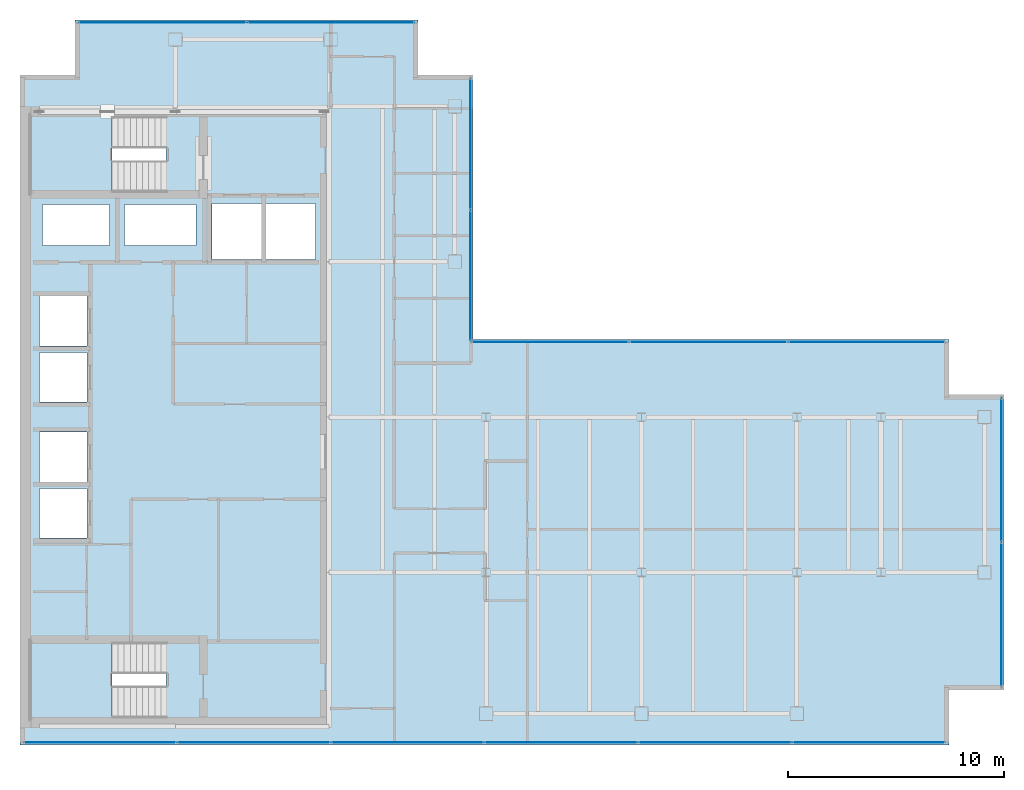
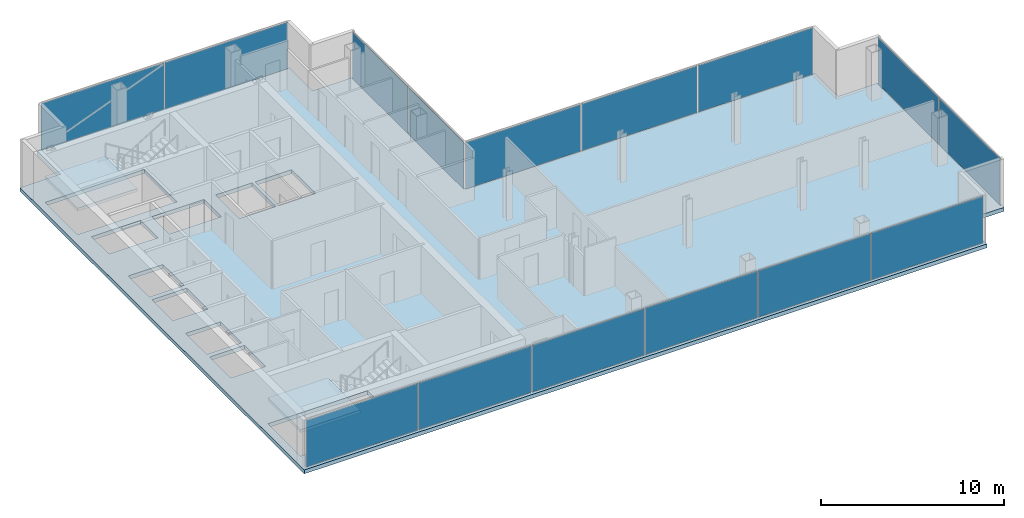
# One storey, part 19 of 23: 15 plates, 3 slabs, 10 openings, 7 elements without a shape of their own.
"""IFC4 building model written with IfcOpenShell, lengths in metres."""

import ifcopenshell
import ifcopenshell.guid

model = None  # the IFC model being written
_history = None  # IfcOwnerHistory: only IFC2X3 demands one
_inside = {}  # id of a spatial element -> (the spatial element, [elements in it])
_under = {}  # id of a project, library or spatial element -> (it, [spatial elements below it])
_declared = {}  # id of a project -> (the project, [libraries it declares])
_typed = {}  # id of a type object -> (the type object, [elements of that type])
_made_of = {}  # id of a material, layer set ... -> (it, [elements and type objects made of it])


def new_model(schema):
    """Start an empty IFC model of exactly this schema.

    Asked for "IFC4X3", IfcOpenShell would pick the latest addendum, in which some entities
    have other attributes; the version numbers below select the first issue.
    IFC2X3 requires an IfcOwnerHistory on every rooted entity: one is made here for all.
    """
    global model, _history
    if schema == "IFC4X3":
        model = ifcopenshell.file(schema_version=(4, 3, 0, 0))
    else:
        model = ifcopenshell.file(schema=schema)
    _inside.clear()
    _under.clear()
    _declared.clear()
    _typed.clear()
    _made_of.clear()
    _history = None
    if model.schema == "IFC2X3":
        org = make("IfcOrganization", Name="unknown")
        user = make(
            "IfcPersonAndOrganization",
            ThePerson=make("IfcPerson", FamilyName="unknown"),
            TheOrganization=org,
        )
        app = make(
            "IfcApplication",
            ApplicationDeveloper=org,
            Version="unknown",
            ApplicationFullName="unknown",
            ApplicationIdentifier="unknown",
        )
        _history = make(
            "IfcOwnerHistory",
            OwningUser=user,
            OwningApplication=app,
            ChangeAction="ADDED",
            CreationDate=0,
        )
    return model


def make(cls, **values):
    """One entity of the class cls with the attributes given. An attribute that is None is left unset."""
    return model.create_entity(
        cls, **{name: value for name, value in values.items() if value is not None}
    )


def rooted(cls, **values):
    """An entity with a GlobalId (a new one), such as an element, a storey or a relation."""
    return make(cls, GlobalId=ifcopenshell.guid.new(), OwnerHistory=_history, **values)


def si_unit(unit_type, name, prefix=None):
    """IfcSIUnit, for example si_unit("LENGTHUNIT", "METRE", prefix="MILLI")."""
    return make("IfcSIUnit", UnitType=unit_type, Prefix=prefix, Name=name)


def assignment(units):
    """IfcUnitAssignment: the units of a project."""
    return None if units is None else make("IfcUnitAssignment", Units=units)


def point(xyz):
    """IfcCartesianPoint."""
    return None if xyz is None else make("IfcCartesianPoint", Coordinates=xyz)


def direction(xyz):
    """IfcDirection."""
    return None if xyz is None else make("IfcDirection", DirectionRatios=xyz)


def frame(location, z_axis=None, x_axis=None):
    """IfcAxis2Placement3D, a coordinate frame: its origin and axes. An axis left out is left unset."""
    return make(
        "IfcAxis2Placement3D",
        Location=point(location),
        Axis=direction(z_axis),
        RefDirection=direction(x_axis),
    )


def frame_2d(location, x_axis=None):
    """IfcAxis2Placement2D, a coordinate frame in the plane: its origin and x axis."""
    return make(
        "IfcAxis2Placement2D", Location=point(location), RefDirection=direction(x_axis)
    )


def origin():
    """The frame at (0, 0, 0) with its axes left unset."""
    return frame((0.0, 0.0, 0.0))


def origin_2d():
    """The frame at (0, 0) in the plane with its x axis left unset."""
    return frame_2d((0.0, 0.0))


def place(relative_to, where):
    """IfcLocalPlacement: puts the frame where relative to a parent placement (None: the world)."""
    return make(
        "IfcLocalPlacement", PlacementRelTo=relative_to, RelativePlacement=where
    )


def context(
    kind, dimensions, precision=None, world=None, true_north=None, identifier=None
):
    """IfcGeometricRepresentationContext, for example the 3D "Model" context."""
    return make(
        "IfcGeometricRepresentationContext",
        ContextIdentifier=identifier,
        ContextType=kind,
        CoordinateSpaceDimension=dimensions,
        Precision=precision,
        WorldCoordinateSystem=world,
        TrueNorth=true_north,
    )


def subcontext(parent, identifier, kind, view, scale=None):
    """IfcGeometricRepresentationSubContext, for example "Body" below "Model"."""
    return make(
        "IfcGeometricRepresentationSubContext",
        ContextIdentifier=identifier,
        ContextType=kind,
        ParentContext=parent,
        TargetScale=scale,
        TargetView=view,
    )


def project(units=None, contexts=None):
    """IfcProject with its units and contexts."""
    return rooted(
        "IfcProject",
        Name="project",
        RepresentationContexts=contexts,
        UnitsInContext=assignment(units),
    )


def spatial(cls, under=None, at=None, **own):
    """A site, building, storey or space (cls), placed at a placement, below another one or the project."""
    s = rooted(cls, ObjectPlacement=at, **own)
    if under is not None:
        _under.setdefault(under.id(), (under, []))[1].append(s)
    return s


def polyline(points):
    """IfcPolyline through the points."""
    return make("IfcPolyline", Points=[point(p) for p in points])


def profile(cls, at=None, kind="AREA", **sizes):
    """A parametric profile (cls). Its sizes go by their IFC names, for example OverallWidth=200.0."""
    return make(cls, ProfileType=kind, Position=at, **sizes)


def rectangle(**sizes):
    """IfcRectangleProfileDef."""
    return profile("IfcRectangleProfileDef", **sizes)


def outline(outer, holes=None, kind="AREA"):
    """IfcArbitraryClosedProfileDef: a profile drawn as a closed curve; with holes, ...WithVoids."""
    if holes is None:
        return make("IfcArbitraryClosedProfileDef", ProfileType=kind, OuterCurve=outer)
    return make(
        "IfcArbitraryProfileDefWithVoids",
        ProfileType=kind,
        OuterCurve=outer,
        InnerCurves=holes,
    )


def extrude(swept, where, along, depth):
    """IfcExtrudedAreaSolid: the profile swept, set in the frame where, extruded along a direction by depth."""
    return make(
        "IfcExtrudedAreaSolid",
        SweptArea=swept,
        Position=where,
        ExtrudedDirection=direction(along),
        Depth=depth,
    )


def shape(context_of_items, identifier, shape_type, items):
    """IfcShapeRepresentation: the items that make up one representation, for example the "Body"."""
    return make(
        "IfcShapeRepresentation",
        ContextOfItems=context_of_items,
        RepresentationIdentifier=identifier,
        RepresentationType=shape_type,
        Items=items,
    )


def material(Name=None, Category=None):
    """IfcMaterial."""
    return make("IfcMaterial", Name=Name, Category=Category)


def layer(
    of_material, thickness, ventilated=None, Name=None, Category=None, Priority=None
):
    """IfcMaterialLayer: one layer of a wall or slab, of a material (None: an air gap)."""
    return make(
        "IfcMaterialLayer",
        Material=of_material,
        LayerThickness=thickness,
        IsVentilated=ventilated,
        Name=Name,
        Category=Category,
        Priority=Priority,
    )


def layer_set(layers, Name=None):
    """IfcMaterialLayerSet."""
    return make("IfcMaterialLayerSet", MaterialLayers=layers, LayerSetName=Name)


def made_of(thing, what):
    """Note that an element or type object is made of a material, layer set ...; save() writes the relation."""
    if what is not None:
        _made_of.setdefault(what.id(), (what, []))[1].append(thing)
    return thing


def type_object(cls, material=None, **own):
    """A type object (cls), such as IfcWallType, which elements share."""
    return made_of(rooted(cls, **own), material)


def element(
    cls,
    number,
    at=None,
    inside=None,
    cuts=None,
    type_object=None,
    material=None,
    context=None,
    identifier="Body",
    shape_type=None,
    held_by="IfcProductDefinitionShape",
    body=None,
    shapes=None,
    **own,
):
    """One element of the class cls, such as IfcWall. Its Tag is "e" and its number.

    at: its placement. inside: the storey or other place that contains it. cuts: it is an
    opening in that element (IfcRelVoidsElement). A single representation is given by context,
    identifier, shape_type and body (its items); several are given by shapes. held_by: the class
    of the entity that holds the representations. save() writes the other relations.
    """
    e = rooted(cls, Tag="e%d" % number, ObjectPlacement=at, **own)
    if body is not None:
        shapes = [shape(context, identifier, shape_type, body)]
    if shapes is not None:
        e.Representation = make(held_by, Representations=shapes)
    if inside is not None:
        _inside.setdefault(inside.id(), (inside, []))[1].append(e)
    if cuts is not None:
        rooted(
            "IfcRelVoidsElement", RelatingBuildingElement=cuts, RelatedOpeningElement=e
        )
    if type_object is not None:
        _typed.setdefault(type_object.id(), (type_object, []))[1].append(e)
    return made_of(e, material)


def aggregate(whole, parts):
    """IfcRelAggregates: a whole, such as a stair, and the parts it consists of."""
    return rooted("IfcRelAggregates", RelatingObject=whole, RelatedObjects=parts)


def save(model, path):
    """Write the relations noted so far, then the file.

    IfcRelAggregates (storeys below a building ...), IfcRelContainedInSpatialStructure (elements
    in a storey), IfcRelDefinesByType, IfcRelAssociatesMaterial and IfcRelDeclares: one each for
    every whole, place, type object, material and project.
    """
    for whole, parts in _under.values():
        aggregate(whole, parts)
    for where, things in _inside.values():
        rooted(
            "IfcRelContainedInSpatialStructure",
            RelatedElements=things,
            RelatingStructure=where,
        )
    for kind, things in _typed.values():
        rooted("IfcRelDefinesByType", RelatedObjects=things, RelatingType=kind)
    for what, things in _made_of.values():
        rooted("IfcRelAssociatesMaterial", RelatedObjects=things, RelatingMaterial=what)
    for by, libraries in _declared.values():
        rooted("IfcRelDeclares", RelatingContext=by, RelatedDefinitions=libraries)
    model.write(path)


model = new_model("IFC4")

# Units and contexts
model_context = context("Model", 3, precision=1e-05, world=origin(), true_north=direction((0.0, 1.0)))
body_context = subcontext(model_context, "Body", "Model", "MODEL_VIEW")
ifc_project = project(units=[si_unit("LENGTHUNIT", "METRE"), si_unit("AREAUNIT", "SQUARE_METRE"), si_unit("VOLUMEUNIT", "CUBIC_METRE"), si_unit("PLANEANGLEUNIT", "RADIAN"), si_unit("MASSUNIT", "GRAM", prefix="KILO")], contexts=[model_context])

# Site, building, storey
site_placement = place(None, origin())
site = spatial("IfcSite", under=ifc_project, at=site_placement, CompositionType="ELEMENT")
building_placement = place(site_placement, origin())
building = spatial("IfcBuilding", under=site, at=building_placement, Name="Cobrela Telecom Tower", CompositionType="ELEMENT")
storey_placement = place(building_placement, frame((0.0, 0.0, 258.64990234375)))
storey = spatial("IfcBuildingStorey", under=building, at=storey_placement, Name="L67", CompositionType="ELEMENT", Elevation=258.64990234375)

# Curtain wall, plates
ifc_material_1 = material(Name="Anodized Bronze Aluminium 6063-T6", Category="aluminium")
curtain_wall_type = type_object("IfcCurtainWallType", Name="CW-SYS-OFF-HI", PredefinedType="USERDEFINED", material=ifc_material_1)
curtain_wall_1_placement = place(storey_placement, origin())
curtain_wall_1 = element("IfcCurtainWall", 1, at=curtain_wall_1_placement, inside=storey, type_object=curtain_wall_type, Name="L67 Unitised Bronze Curtain Wall 05", ObjectType="UNITISED CURTAIN WALL", PredefinedType="USERDEFINED")
ifc_material_2 = material(Name="Solar-Control Bronze Low-E Glass", Category="glass")
ifc_layer_1 = layer(ifc_material_2, 0.030029296875)
ifc_layer_set_1 = layer_set([ifc_layer_1], Name="Solar-Control Bronze Low-E Glass")
plate_type = type_object("IfcPlateType", Name="CW-SYS-OFF-HI-PNL", PredefinedType="CURTAIN_PANEL", material=ifc_layer_set_1)
plate_1_placement = place(storey_placement, frame((6.6025390625, 39.8798828125, 0.06494140625), z_axis=(0.0, 0.0, 1.0), x_axis=(1.0, 0.0, 0.0)))
plate_1 = element("IfcPlate", 2, at=plate_1_placement, type_object=plate_type, Name="CW-OFF-HI panel 1.1", PredefinedType="CURTAIN_PANEL", context=body_context, shape_type="SweptSolid", body=[
    extrude(rectangle(XDim=7.72509765625, YDim=0.030029296875, at=origin_2d()), origin(), (0.0, 0.0, 1.0), 3.110107421875),
])
plate_2_placement = place(storey_placement, frame((14.3974609375, 39.8798828125, 0.06494140625), z_axis=(0.0, 0.0, 1.0), x_axis=(1.0, 0.0, 0.0)))
plate_2 = element("IfcPlate", 3, at=plate_2_placement, type_object=plate_type, Name="CW-OFF-HI panel 2.1", PredefinedType="CURTAIN_PANEL", context=body_context, shape_type="SweptSolid", body=[
    extrude(rectangle(XDim=7.72509765625, YDim=0.030029296875, at=origin_2d()), origin(), (0.0, 0.0, 1.0), 3.110107421875),
])
aggregate(curtain_wall_1, [plate_1, plate_2])

curtain_wall_2_placement = place(storey_placement, origin())
curtain_wall_2 = element("IfcCurtainWall", 4, at=curtain_wall_2_placement, inside=storey, type_object=curtain_wall_type, Name="L67 Unitised Bronze Curtain Wall 08", ObjectType="UNITISED CURTAIN WALL", PredefinedType="USERDEFINED")
plate_3_placement = place(storey_placement, frame((20.8798828125, 34.25, 0.06494140625), z_axis=(0.0, 0.0, 1.0), x_axis=(0.0, -1.0, 0.0)))
plate_3 = element("IfcPlate", 5, at=plate_3_placement, type_object=plate_type, Name="CW-OFF-HI panel 1.1", PredefinedType="CURTAIN_PANEL", context=body_context, shape_type="SweptSolid", body=[
    extrude(rectangle(XDim=6.02001953125, YDim=0.030029296875, at=origin_2d()), origin(), (0.0, 0.0, 1.0), 3.110107421875),
])
plate_4_placement = place(storey_placement, frame((20.8798828125, 28.159912109375, 0.06494140625), z_axis=(0.0, 0.0, 1.0), x_axis=(0.0, -1.0, 0.0)))
plate_4 = element("IfcPlate", 6, at=plate_4_placement, type_object=plate_type, Name="CW-OFF-HI panel 2.1", PredefinedType="CURTAIN_PANEL", context=body_context, shape_type="SweptSolid", body=[
    extrude(rectangle(XDim=6.02001953125, YDim=0.030029296875, at=origin_2d()), origin(), (0.0, 0.0, 1.0), 3.110107421875),
])
aggregate(curtain_wall_2, [plate_3, plate_4])

curtain_wall_3_placement = place(storey_placement, origin())
curtain_wall_3 = element("IfcCurtainWall", 7, at=curtain_wall_3_placement, inside=storey, type_object=curtain_wall_type, Name="L67 Unitised Bronze Curtain Wall 09", ObjectType="UNITISED CURTAIN WALL", PredefinedType="USERDEFINED")
plate_5_placement = place(storey_placement, frame((24.572509765625, 25.080078125, 0.06494140625), z_axis=(0.0, 0.0, 1.0), x_axis=(1.0, 0.0, 0.0)))
plate_5 = element("IfcPlate", 8, at=plate_5_placement, type_object=plate_type, Name="CW-OFF-HI panel 1.1", PredefinedType="CURTAIN_PANEL", context=body_context, shape_type="SweptSolid", body=[
    extrude(rectangle(XDim=7.2451171875, YDim=0.030029296875, at=origin_2d()), origin(), (0.0, 0.0, 1.0), 3.110107421875),
])
plate_6_placement = place(storey_placement, frame((31.905029296875, 25.080078125, 0.06494140625), z_axis=(0.0, 0.0, 1.0), x_axis=(1.0, 0.0, 0.0)))
plate_6 = element("IfcPlate", 9, at=plate_6_placement, type_object=plate_type, Name="CW-OFF-HI panel 2.1", PredefinedType="CURTAIN_PANEL", context=body_context, shape_type="SweptSolid", body=[
    extrude(rectangle(XDim=7.280029296875, YDim=0.030029296875, at=origin_2d()), origin(), (0.0, 0.0, 1.0), 3.110107421875),
])
plate_7_placement = place(storey_placement, frame((39.237548828125, 25.080078125, 0.06494140625), z_axis=(0.0, 0.0, 1.0), x_axis=(1.0, 0.0, 0.0)))
plate_7 = element("IfcPlate", 10, at=plate_7_placement, type_object=plate_type, Name="CW-OFF-HI panel 3.1", PredefinedType="CURTAIN_PANEL", context=body_context, shape_type="SweptSolid", body=[
    extrude(rectangle(XDim=7.2451171875, YDim=0.030029296875, at=origin_2d()), origin(), (0.0, 0.0, 1.0), 3.110107421875),
])
aggregate(curtain_wall_3, [plate_5, plate_6, plate_7])

curtain_wall_4_placement = place(storey_placement, origin())
curtain_wall_4 = element("IfcCurtainWall", 11, at=curtain_wall_4_placement, inside=storey, type_object=curtain_wall_type, Name="L67 Unitised Bronze Curtain Wall 12", ObjectType="UNITISED CURTAIN WALL", PredefinedType="USERDEFINED")
plate_8_placement = place(storey_placement, frame((45.47998046875, 19.1474609375, 0.06494140625), z_axis=(0.0, 0.0, 1.0), x_axis=(0.0, -1.0, 0.0)))
plate_8 = element("IfcPlate", 12, at=plate_8_placement, type_object=plate_type, Name="CW-OFF-HI panel 1.1", PredefinedType="CURTAIN_PANEL", context=body_context, shape_type="SweptSolid", body=[
    extrude(rectangle(XDim=6.625, YDim=0.030029296875, at=origin_2d()), origin(), (0.0, 0.0, 1.0), 3.110107421875),
])
plate_9_placement = place(storey_placement, frame((45.47998046875, 12.452392578125, 0.06494140625), z_axis=(0.0, 0.0, 1.0), x_axis=(0.0, -1.0, 0.0)))
plate_9 = element("IfcPlate", 13, at=plate_9_placement, type_object=plate_type, Name="CW-OFF-HI panel 2.1", PredefinedType="CURTAIN_PANEL", context=body_context, shape_type="SweptSolid", body=[
    extrude(rectangle(XDim=6.625, YDim=0.030029296875, at=origin_2d()), origin(), (0.0, 0.0, 1.0), 3.110107421875),
])
aggregate(curtain_wall_4, [plate_8, plate_9])

curtain_wall_5_placement = place(storey_placement, origin())
curtain_wall_5 = element("IfcCurtainWall", 14, at=curtain_wall_5_placement, inside=storey, type_object=curtain_wall_type, Name="L67 Unitised Bronze Curtain Wall 15", ObjectType="UNITISED CURTAIN WALL", PredefinedType="USERDEFINED")
plate_10_placement = place(storey_placement, frame((39.344970703125, 6.52001953125, 0.06494140625), z_axis=(0.0, 0.0, 1.0), x_axis=(-1.0, 0.0, 0.0)))
plate_10 = element("IfcPlate", 15, at=plate_10_placement, type_object=plate_type, Name="CW-OFF-HI panel 1.1", PredefinedType="CURTAIN_PANEL", context=body_context, shape_type="SweptSolid", body=[
    extrude(rectangle(XDim=7.030029296875, YDim=0.030029296875, at=origin_2d()), origin(), (0.0, 0.0, 1.0), 3.110107421875),
])
plate_11_placement = place(storey_placement, frame((32.2275390625, 6.52001953125, 0.06494140625), z_axis=(0.0, 0.0, 1.0), x_axis=(-1.0, 0.0, 0.0)))
plate_11 = element("IfcPlate", 16, at=plate_11_placement, type_object=plate_type, Name="CW-OFF-HI panel 2.1", PredefinedType="CURTAIN_PANEL", context=body_context, shape_type="SweptSolid", body=[
    extrude(rectangle(XDim=7.06494140625, YDim=0.030029296875, at=origin_2d()), origin(), (0.0, 0.0, 1.0), 3.110107421875),
])
plate_12_placement = place(storey_placement, frame((25.092529296875, 6.52001953125, 0.06494140625), z_axis=(0.0, 0.0, 1.0), x_axis=(-1.0, 0.0, 0.0)))
plate_12 = element("IfcPlate", 17, at=plate_12_placement, type_object=plate_type, Name="CW-OFF-HI panel 3.1", PredefinedType="CURTAIN_PANEL", context=body_context, shape_type="SweptSolid", body=[
    extrude(rectangle(XDim=7.06494140625, YDim=0.030029296875, at=origin_2d()), origin(), (0.0, 0.0, 1.0), 3.110107421875),
])
plate_13_placement = place(storey_placement, frame((17.95751953125, 6.52001953125, 0.06494140625), z_axis=(0.0, 0.0, 1.0), x_axis=(-1.0, 0.0, 0.0)))
plate_13 = element("IfcPlate", 18, at=plate_13_placement, type_object=plate_type, Name="CW-OFF-HI panel 4.1", PredefinedType="CURTAIN_PANEL", context=body_context, shape_type="SweptSolid", body=[
    extrude(rectangle(XDim=7.06494140625, YDim=0.030029296875, at=origin_2d()), origin(), (0.0, 0.0, 1.0), 3.110107421875),
])
plate_14_placement = place(storey_placement, frame((10.822509765625, 6.52001953125, 0.06494140625), z_axis=(0.0, 0.0, 1.0), x_axis=(-1.0, 0.0, 0.0)))
plate_14 = element("IfcPlate", 19, at=plate_14_placement, type_object=plate_type, Name="CW-OFF-HI panel 5.1", PredefinedType="CURTAIN_PANEL", context=body_context, shape_type="SweptSolid", body=[
    extrude(rectangle(XDim=7.06494140625, YDim=0.030029296875, at=origin_2d()), origin(), (0.0, 0.0, 1.0), 3.110107421875),
])
plate_15_placement = place(storey_placement, frame((3.705078125, 6.52001953125, 0.06494140625), z_axis=(0.0, 0.0, 1.0), x_axis=(-1.0, 0.0, 0.0)))
plate_15 = element("IfcPlate", 20, at=plate_15_placement, type_object=plate_type, Name="CW-OFF-HI panel 6.1", PredefinedType="CURTAIN_PANEL", context=body_context, shape_type="SweptSolid", body=[
    extrude(rectangle(XDim=7.030029296875, YDim=0.030029296875, at=origin_2d()), origin(), (0.0, 0.0, 1.0), 3.110107421875),
])
aggregate(curtain_wall_5, [plate_10, plate_11, plate_12, plate_13, plate_14, plate_15])

# Slab, openings
ifc_material_3 = material(Name="Concrete C40/50", Category="concrete")
ifc_layer_2 = layer(ifc_material_3, 0.260009765625)
ifc_layer_set_2 = layer_set([ifc_layer_2], Name="Concrete C40/50")
slab_type_1 = type_object("IfcSlabType", Name="SLAB-FLR-260", PredefinedType="FLOOR", material=ifc_layer_set_2)
slab_1_placement = place(storey_placement, frame((0.0, 0.0, -0.260009765625)))
slab_1 = element("IfcSlab", 21, at=slab_1_placement, inside=storey, type_object=slab_type_1, Name="L67 Structural Floor Slab", PredefinedType="FLOOR", context=body_context, shape_type="SweptSolid", body=[
    extrude(outline(polyline([(0.0, 6.39990234375), (43.050048828125, 6.39990234375), (43.050048828125, 8.949951171875), (45.60009765625, 8.949951171875), (45.60009765625, 22.64990234375), (43.050048828125, 22.64990234375), (43.050048828125, 25.199951171875), (21.0, 25.199951171875), (21.0, 37.449951171875), (18.449951171875, 37.449951171875), (18.449951171875, 40.0), (2.550048828125, 40.0), (2.550048828125, 37.449951171875), (0.0, 37.449951171875), (0.0, 6.39990234375)])), origin(), (0.0, 0.0, 1.0), 0.260009765625),
])
opening_1_placement = place(slab_1_placement, frame((0.0, 0.0, -0.02001953125)))
element("IfcOpeningElement", 22, at=opening_1_placement, cuts=slab_1, Name="Slab Shaft Opening SLAB-L67-MAIN.1", PredefinedType="OPENING", context=body_context, shape_type="SweptSolid", body=[
    extrude(outline(polyline([(8.89990234375, 28.89990234375), (11.199951171875, 28.89990234375), (11.199951171875, 31.5), (8.89990234375, 31.5), (8.89990234375, 28.89990234375)])), origin(), (0.0, 0.0, 1.0), 0.300048828125),
])
opening_2_placement = place(slab_1_placement, frame((0.0, 0.0, -0.02001953125)))
element("IfcOpeningElement", 23, at=opening_2_placement, cuts=slab_1, Name="Slab Shaft Opening SLAB-L67-MAIN.2", PredefinedType="OPENING", context=body_context, shape_type="SweptSolid", body=[
    extrude(outline(polyline([(11.39990234375, 28.89990234375), (13.699951171875, 28.89990234375), (13.699951171875, 31.5), (11.39990234375, 31.5), (11.39990234375, 28.89990234375)])), origin(), (0.0, 0.0, 1.0), 0.300048828125),
])
opening_3_placement = place(slab_1_placement, frame((0.0, 0.0, -0.02001953125)))
element("IfcOpeningElement", 24, at=opening_3_placement, cuts=slab_1, Name="Slab Shaft Opening SLAB-L67-MAIN.3", PredefinedType="OPENING", context=body_context, shape_type="SweptSolid", body=[
    extrude(outline(polyline([(0.89990234375, 16.0), (3.10009765625, 16.0), (3.10009765625, 18.300048828125), (0.89990234375, 18.300048828125), (0.89990234375, 16.0)])), origin(), (0.0, 0.0, 1.0), 0.300048828125),
])
opening_4_placement = place(slab_1_placement, frame((0.0, 0.0, -0.02001953125)))
element("IfcOpeningElement", 25, at=opening_4_placement, cuts=slab_1, Name="Slab Shaft Opening SLAB-L67-MAIN.4", PredefinedType="OPENING", context=body_context, shape_type="SweptSolid", body=[
    extrude(outline(polyline([(0.89990234375, 18.60009765625), (3.10009765625, 18.60009765625), (3.10009765625, 20.89990234375), (0.89990234375, 20.89990234375), (0.89990234375, 18.60009765625)])), origin(), (0.0, 0.0, 1.0), 0.300048828125),
])
opening_5_placement = place(slab_1_placement, frame((0.0, 0.0, -0.02001953125)))
element("IfcOpeningElement", 26, at=opening_5_placement, cuts=slab_1, Name="Slab Shaft Opening SLAB-L67-MAIN.5", PredefinedType="OPENING", context=body_context, shape_type="SweptSolid", body=[
    extrude(outline(polyline([(0.89990234375, 22.300048828125), (3.10009765625, 22.300048828125), (3.10009765625, 24.60009765625), (0.89990234375, 24.60009765625), (0.89990234375, 22.300048828125)])), origin(), (0.0, 0.0, 1.0), 0.300048828125),
])
opening_6_placement = place(slab_1_placement, frame((0.0, 0.0, -0.02001953125)))
element("IfcOpeningElement", 27, at=opening_6_placement, cuts=slab_1, Name="Slab Shaft Opening SLAB-L67-MAIN.6", PredefinedType="OPENING", context=body_context, shape_type="SweptSolid", body=[
    extrude(outline(polyline([(0.89990234375, 24.89990234375), (3.10009765625, 24.89990234375), (3.10009765625, 27.199951171875), (0.89990234375, 27.199951171875), (0.89990234375, 24.89990234375)])), origin(), (0.0, 0.0, 1.0), 0.300048828125),
])
opening_7_placement = place(slab_1_placement, frame((0.0, 0.0, -0.02001953125)))
element("IfcOpeningElement", 28, at=opening_7_placement, cuts=slab_1, Name="Slab Shaft Opening SLAB-L67-MAIN.7", PredefinedType="OPENING", context=body_context, shape_type="SweptSolid", body=[
    extrude(outline(polyline([(1.050048828125, 29.550048828125), (4.14990234375, 29.550048828125), (4.14990234375, 31.449951171875), (1.050048828125, 31.449951171875), (1.050048828125, 29.550048828125)])), origin(), (0.0, 0.0, 1.0), 0.300048828125),
])
opening_8_placement = place(slab_1_placement, frame((0.0, 0.0, -0.02001953125)))
element("IfcOpeningElement", 29, at=opening_8_placement, cuts=slab_1, Name="Slab Shaft Opening SLAB-L67-MAIN.8", PredefinedType="OPENING", context=body_context, shape_type="SweptSolid", body=[
    extrude(outline(polyline([(4.85009765625, 29.550048828125), (8.14990234375, 29.550048828125), (8.14990234375, 31.449951171875), (4.85009765625, 31.449951171875), (4.85009765625, 29.550048828125)])), origin(), (0.0, 0.0, 1.0), 0.300048828125),
])
opening_9_placement = place(slab_1_placement, frame((0.0, 0.0, -0.02001953125)))
element("IfcOpeningElement", 30, at=opening_9_placement, cuts=slab_1, Name="Slab Shaft Opening SLAB-L67-MAIN.9", PredefinedType="OPENING", context=body_context, shape_type="SweptSolid", body=[
    extrude(outline(polyline([(6.7548828125, 35.550048828125), (0.47998046875, 35.550048828125), (0.47998046875, 32.0), (6.7548828125, 32.0), (6.7548828125, 35.550048828125)])), origin(), (0.0, 0.0, 1.0), 0.300048828125),
])
opening_10_placement = place(slab_1_placement, frame((0.0, 0.0, -0.02001953125)))
element("IfcOpeningElement", 31, at=opening_10_placement, cuts=slab_1, Name="Slab Shaft Opening SLAB-L67-MAIN.10", PredefinedType="OPENING", context=body_context, shape_type="SweptSolid", body=[
    extrude(outline(polyline([(6.7548828125, 11.199951171875), (0.47998046875, 11.199951171875), (0.47998046875, 7.64990234375), (6.7548828125, 7.64990234375), (6.7548828125, 11.199951171875)])), origin(), (0.0, 0.0, 1.0), 0.300048828125),
])

# Stair, slab
stair_type = type_object("IfcStairType", Name="STAIR-CORE", PredefinedType="HALF_TURN_STAIR", material=ifc_material_3)
stair_1_placement = place(storey_placement, origin())
stair_1 = element("IfcStair", 32, at=stair_1_placement, inside=storey, type_object=stair_type, Name="L67 Smokeproof Exit Stair ST1", PredefinedType="HALF_TURN_STAIR")
ifc_layer_3 = layer(ifc_material_3, 0.199951171875)
ifc_layer_set_3 = layer_set([ifc_layer_3], Name="Concrete C40/50")
slab_type_2 = type_object("IfcSlabType", Name="SLAB-LAND-200", PredefinedType="LANDING", material=ifc_layer_set_3)
slab_2_placement = place(storey_placement, frame((0.0, 0.0, 1.550048828125)))
slab_2 = element("IfcSlab", 33, at=slab_2_placement, type_object=slab_type_2, Name="ST1 landing 1", PredefinedType="LANDING", context=body_context, shape_type="SweptSolid", body=[
    extrude(outline(polyline([(4.2548828125, 35.550048828125), (0.47998046875, 35.550048828125), (0.47998046875, 32.0), (4.2548828125, 32.0), (4.2548828125, 35.550048828125)])), origin(), (0.0, 0.0, 1.0), 0.199951171875),
])
aggregate(stair_1, [slab_2])

stair_2_placement = place(storey_placement, origin())
stair_2 = element("IfcStair", 34, at=stair_2_placement, inside=storey, type_object=stair_type, Name="L67 Smokeproof Exit Stair ST2", PredefinedType="HALF_TURN_STAIR")
slab_3_placement = place(storey_placement, frame((0.0, 0.0, 1.550048828125)))
slab_3 = element("IfcSlab", 35, at=slab_3_placement, type_object=slab_type_2, Name="ST2 landing 1", PredefinedType="LANDING", context=body_context, shape_type="SweptSolid", body=[
    extrude(outline(polyline([(4.2548828125, 11.199951171875), (0.47998046875, 11.199951171875), (0.47998046875, 7.64990234375), (4.2548828125, 7.64990234375), (4.2548828125, 11.199951171875)])), origin(), (0.0, 0.0, 1.0), 0.199951171875),
])
aggregate(stair_2, [slab_3])

save(model, "model.ifc")
